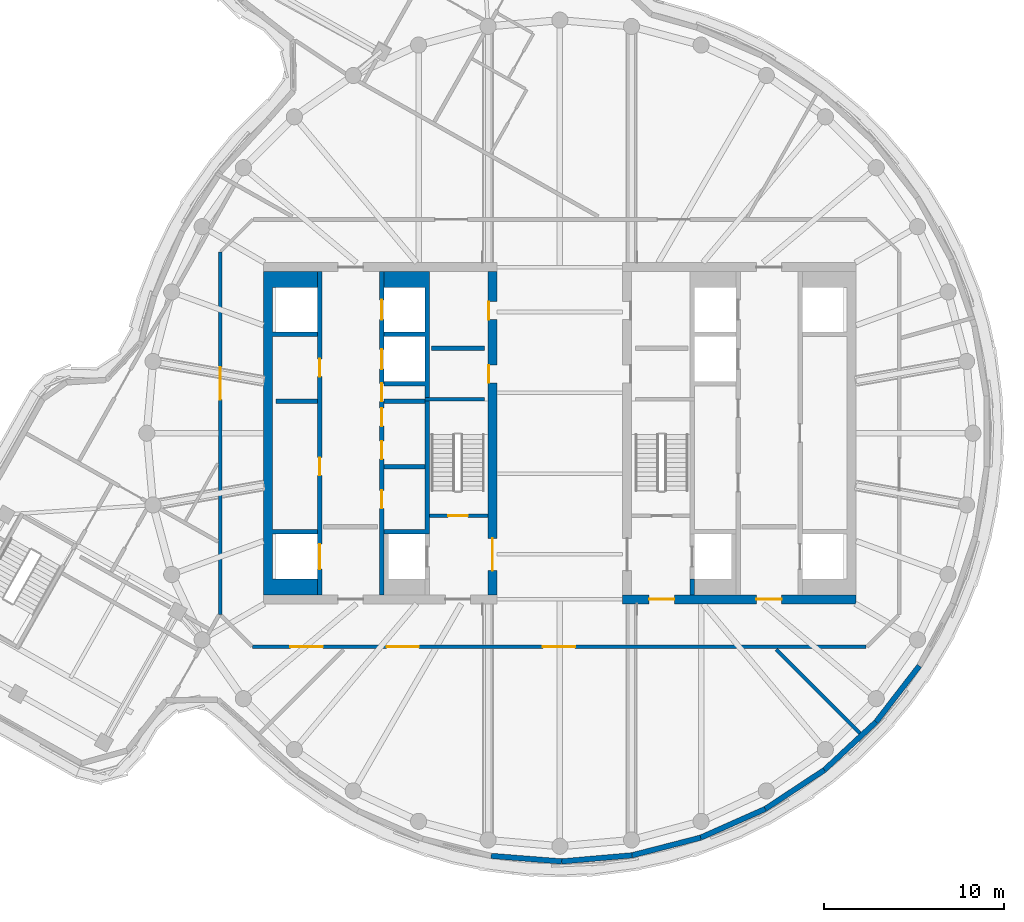
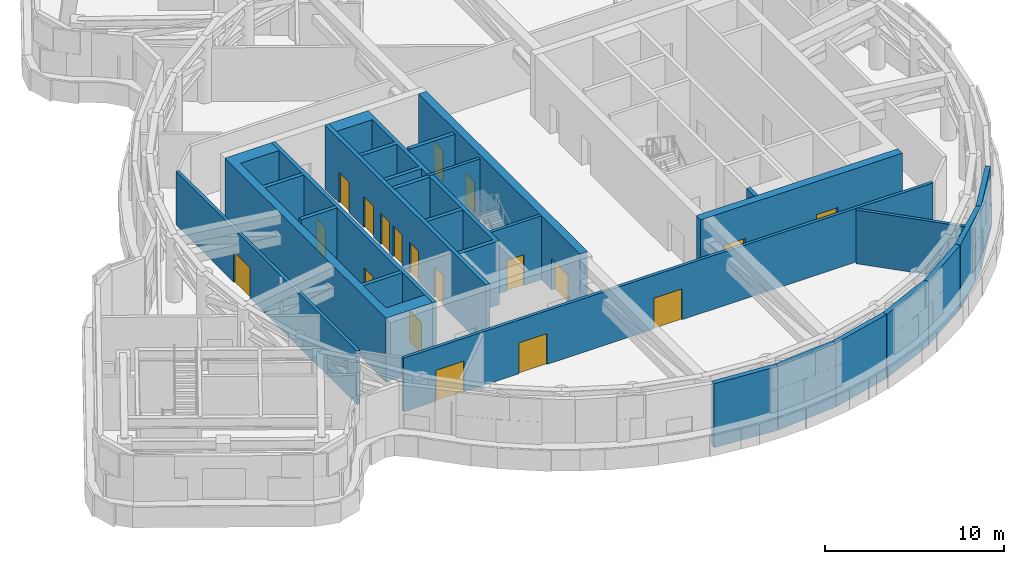
# One storey, part 6 of 15: 23 walls, 19 doors, 19 openings.
"""IFC4 building model written with IfcOpenShell, lengths in metres."""

from ifc_helpers import new_model, si_unit, direction, frame, frame_2d, origin, place, context, subcontext, project, spatial, polyline, rectangle, outline, extrude, material, layer, layer_set, type_object, element, fill, save


model = new_model("IFC4")

# Units and contexts
model_context = context("Model", 3, precision=1e-05, world=origin(), true_north=direction((0.0, 1.0)))
body_context = subcontext(model_context, "Body", "Model", "MODEL_VIEW")
ifc_project = project(units=[si_unit("LENGTHUNIT", "METRE"), si_unit("AREAUNIT", "SQUARE_METRE"), si_unit("VOLUMEUNIT", "CUBIC_METRE"), si_unit("PLANEANGLEUNIT", "RADIAN"), si_unit("MASSUNIT", "GRAM", prefix="KILO")], contexts=[model_context])

# Site, building, storey
site_placement = place(None, origin())
site = spatial("IfcSite", under=ifc_project, at=site_placement, CompositionType="ELEMENT")
building_placement = place(site_placement, origin())
building = spatial("IfcBuilding", under=site, at=building_placement, Name="Tamarind Cross Interchange Tower", CompositionType="ELEMENT")
storey_placement = place(building_placement, frame((0.0, 0.0, 252.300048828125)))
storey = spatial("IfcBuildingStorey", under=building, at=storey_placement, Name="L64", CompositionType="ELEMENT", Elevation=252.300048828125)

# Wall
ifc_material_1 = material(Name="Concrete C50", Category="concrete")
ifc_layer_1 = layer(ifc_material_1, 0.5)
ifc_layer_set_1 = layer_set([ifc_layer_1], Name="Concrete C50")
wall_type_1 = type_object("IfcWallType", Name="Core wall 500 mm Concrete C50", PredefinedType="SHEAR", material=ifc_layer_set_1)
wall_1_placement = place(storey_placement, origin())
element("IfcWall", 1, at=wall_1_placement, inside=storey, type_object=wall_type_1, Name="Core wall CWL-L64-W-A", PredefinedType="SHEAR", context=body_context, shape_type="SweptSolid", body=[
    extrude(outline(polyline([(-13.5, -8.125), (-16.0, -8.125), (-16.0, -5.625), (-13.5, -5.625), (-13.5, -5.375), (-16.0, -5.375), (-16.0, 5.375), (-13.5, 5.375), (-13.5, 5.625), (-16.0, 5.625), (-16.0, 8.125), (-13.5, 8.125), (-13.5, 9.0), (-16.0, 9.0), (-16.5, 9.0), (-16.5, -9.0), (-16.0, -9.0), (-13.5, -9.0), (-13.5, -8.125)])), origin(), (0.0, 0.0, 1.0), 4.35986328125),
])

# Wall, openings, doors
wall_2_placement = place(storey_placement, frame((-3.75, -9.0, 0.0), z_axis=(0.0, 0.0, 1.0), x_axis=(0.0, 1.0, 0.0)))
wall_2 = element("IfcWall", 2, at=wall_2_placement, inside=storey, type_object=wall_type_1, Name="Core wall CWL-L64-W-IN", PredefinedType="SHEAR", context=body_context, shape_type="SweptSolid", body=[
    extrude(rectangle(XDim=18.0, YDim=0.5, at=frame_2d((9.0, 0.0))), origin(), (0.0, 0.0, 1.0), 4.35986328125),
])
opening_1_placement = place(wall_2_placement, frame((1.35009765625, 0.0, 0.0)))
opening_1 = element("IfcOpeningElement", 3, at=opening_1_placement, cuts=wall_2, Name="Opening DCW4", PredefinedType="OPENING", context=body_context, shape_type="SweptSolid", body=[
    extrude(rectangle(XDim=1.800048828125, YDim=2.10009765625, at=frame_2d((0.89990234375, 1.050048828125))), frame((0.0, 0.260009765625, 0.0), z_axis=(0.0, -1.0, 0.0), x_axis=(1.0, 0.0, 0.0)), (0.0, 0.0, 1.0), 0.52001953125),
])
opening_2_placement = place(wall_2_placement, frame((11.797607421875, 0.0, 0.0)))
opening_2 = element("IfcOpeningElement", 4, at=opening_2_placement, cuts=wall_2, Name="Opening DCW5", PredefinedType="OPENING", context=body_context, shape_type="SweptSolid", body=[
    extrude(rectangle(XDim=1.0, YDim=2.10009765625, at=frame_2d((0.5, 1.050048828125))), frame((0.0, 0.260009765625, 0.0), z_axis=(0.0, -1.0, 0.0), x_axis=(1.0, 0.0, 0.0)), (0.0, 0.0, 1.0), 0.52001953125),
])
opening_3_placement = place(wall_2_placement, frame((15.322509765625, 0.0, 0.0)))
opening_3 = element("IfcOpeningElement", 5, at=opening_3_placement, cuts=wall_2, Name="Opening DCW5", PredefinedType="OPENING", context=body_context, shape_type="SweptSolid", body=[
    extrude(rectangle(XDim=1.0, YDim=2.10009765625, at=frame_2d((0.5, 1.050048828125))), frame((0.0, 0.260009765625, 0.0), z_axis=(0.0, -1.0, 0.0), x_axis=(1.0, 0.0, 0.0)), (0.0, 0.0, 1.0), 0.52001953125),
])
ifc_material_2 = material(Name="Steel, fire-resisting", Category="steel")
door_type_1 = type_object("IfcDoorType", Name="Core fire door 1000 x 2100 FD90", OperationType="SINGLE_SWING_LEFT", PredefinedType="DOOR", material=ifc_material_2)
door_1_placement = place(opening_2_placement, origin())
door_1 = element("IfcDoor", 6, at=door_1_placement, inside=storey, type_object=door_type_1, Name="L64 plant store door", OperationType="SINGLE_SWING_LEFT", OverallHeight=2.10009765625, OverallWidth=1.0, PredefinedType="DOOR", context=body_context, shape_type="SweptSolid", body=[
    extrude(rectangle(XDim=1.0, YDim=2.10009765625, at=frame_2d((0.5, 1.050048828125))), frame((0.0, 0.22509765625, 0.0), z_axis=(0.0, -1.0, 0.0), x_axis=(1.0, 0.0, 0.0)), (0.0, 0.0, 1.0), 0.050048828125),
])
fill(opening_2, door_1)
door_2_placement = place(opening_3_placement, origin())
door_2 = element("IfcDoor", 7, at=door_2_placement, inside=storey, type_object=door_type_1, Name="L64 break tank and pump room door", OperationType="SINGLE_SWING_LEFT", OverallHeight=2.10009765625, OverallWidth=1.0, PredefinedType="DOOR", context=body_context, shape_type="SweptSolid", body=[
    extrude(rectangle(XDim=1.0, YDim=2.10009765625, at=frame_2d((0.5, 1.050048828125))), frame((0.0, 0.22509765625, 0.0), z_axis=(0.0, -1.0, 0.0), x_axis=(1.0, 0.0, 0.0)), (0.0, 0.0, 1.0), 0.050048828125),
])
fill(opening_3, door_2)
door_type_2 = type_object("IfcDoorType", Name="Core fire door 1800 x 2100 FD90", OperationType="SINGLE_SWING_LEFT", PredefinedType="DOOR", material=ifc_material_2)
door_3_placement = place(opening_1_placement, origin())
door_3 = element("IfcDoor", 8, at=door_3_placement, inside=storey, type_object=door_type_2, Name="L64 firefighting lobby door", OperationType="SINGLE_SWING_LEFT", OverallHeight=2.10009765625, OverallWidth=1.800048828125, PredefinedType="DOOR", context=body_context, shape_type="SweptSolid", body=[
    extrude(rectangle(XDim=1.800048828125, YDim=2.10009765625, at=frame_2d((0.89990234375, 1.050048828125))), frame((0.0, 0.02490234375, 0.0), z_axis=(0.0, -1.0, 0.0), x_axis=(1.0, 0.0, 0.0)), (0.0, 0.0, 1.0), 0.050048828125),
])
fill(opening_1, door_3)

wall_3_placement = place(storey_placement, frame((16.5, -9.25, 0.0), z_axis=(0.0, 0.0, 1.0), x_axis=(-1.0, 0.0, 0.0)))
wall_3 = element("IfcWall", 9, at=wall_3_placement, inside=storey, type_object=wall_type_1, Name="Core wall CWL-L64-E-S", PredefinedType="SHEAR", context=body_context, shape_type="SweptSolid", body=[
    extrude(rectangle(XDim=13.0, YDim=0.5, at=frame_2d((6.5, 0.0))), origin(), (0.0, 0.0, 1.0), 4.35986328125),
])
opening_4_placement = place(wall_3_placement, frame((4.14990234375, 0.0, 0.0)))
opening_4 = element("IfcOpeningElement", 10, at=opening_4_placement, cuts=wall_3, Name="Opening DCE1", PredefinedType="OPENING", context=body_context, shape_type="SweptSolid", body=[
    extrude(rectangle(XDim=1.39990234375, YDim=2.10009765625, at=frame_2d((0.699951171875, 1.050048828125))), frame((0.0, 0.260009765625, 0.0), z_axis=(0.0, -1.0, 0.0), x_axis=(1.0, 0.0, 0.0)), (0.0, 0.0, 1.0), 0.52001953125),
])
opening_5_placement = place(wall_3_placement, frame((10.125, 0.0, 0.0)))
opening_5 = element("IfcOpeningElement", 11, at=opening_5_placement, cuts=wall_3, Name="Opening DCEF", PredefinedType="OPENING", context=body_context, shape_type="SweptSolid", body=[
    extrude(rectangle(XDim=1.39990234375, YDim=2.10009765625, at=frame_2d((0.699951171875, 1.050048828125))), frame((0.0, 0.260009765625, 0.0), z_axis=(0.0, -1.0, 0.0), x_axis=(1.0, 0.0, 0.0)), (0.0, 0.0, 1.0), 0.52001953125),
])
door_type_3 = type_object("IfcDoorType", Name="Core fire door 1400 x 2100 FD90", OperationType="SINGLE_SWING_LEFT", PredefinedType="DOOR", material=ifc_material_2)
door_4_placement = place(opening_4_placement, origin())
door_4 = element("IfcDoor", 12, at=door_4_placement, inside=storey, type_object=door_type_3, Name="L64 lift lobby door", OperationType="SINGLE_SWING_LEFT", OverallHeight=2.10009765625, OverallWidth=1.39990234375, PredefinedType="DOOR", context=body_context, shape_type="SweptSolid", body=[
    extrude(rectangle(XDim=1.39990234375, YDim=2.10009765625, at=frame_2d((0.699951171875, 1.050048828125))), frame((0.0, 0.02490234375, 0.0), z_axis=(0.0, -1.0, 0.0), x_axis=(1.0, 0.0, 0.0)), (0.0, 0.0, 1.0), 0.050048828125),
])
fill(opening_4, door_4)
door_5_placement = place(opening_5_placement, origin())
door_5 = element("IfcDoor", 13, at=door_5_placement, inside=storey, type_object=door_type_3, Name="L64 firefighting lobby end door", OperationType="SINGLE_SWING_LEFT", OverallHeight=2.10009765625, OverallWidth=1.39990234375, PredefinedType="DOOR", context=body_context, shape_type="SweptSolid", body=[
    extrude(rectangle(XDim=1.39990234375, YDim=2.10009765625, at=frame_2d((0.699951171875, 1.050048828125))), frame((0.0, 0.02490234375, 0.0), z_axis=(0.0, -1.0, 0.0), x_axis=(1.0, 0.0, 0.0)), (0.0, 0.0, 1.0), 0.050048828125),
])
fill(opening_5, door_5)

# Walls
ifc_layer_2 = layer(ifc_material_1, 0.199951171875)
ifc_layer_set_2 = layer_set([ifc_layer_2], Name="Concrete C50")
wall_type_2 = type_object("IfcWallType", Name="Core web wall 200 mm Concrete C50", PredefinedType="SHEAR", material=ifc_layer_set_2)
wall_4_placement = place(storey_placement, frame((-7.5, 1.89990234375, 0.0), z_axis=(0.0, 0.0, 1.0), x_axis=(1.0, 0.0, 0.0)))
element("IfcWall", 14, at=wall_4_placement, inside=storey, type_object=wall_type_2, Name="Core wall CWL-L64-W-BD", PredefinedType="SHEAR", context=body_context, shape_type="SweptSolid", body=[
    extrude(rectangle(XDim=3.300048828125, YDim=0.199951171875, at=frame_2d((1.64990234375, 0.0))), origin(), (0.0, 0.0, 1.0), 4.35986328125),
])
ifc_layer_3 = layer(ifc_material_1, 0.25)
ifc_layer_set_3 = layer_set([ifc_layer_3], Name="Concrete C50")
wall_type_3 = type_object("IfcWallType", Name="Core web wall 250 mm Concrete C50", PredefinedType="SHEAR", material=ifc_layer_set_3)
wall_5_placement = place(storey_placement, origin())
element("IfcWall", 15, at=wall_5_placement, inside=storey, type_object=wall_type_3, Name="Core wall CWL-L64-W-BN", PredefinedType="SHEAR", context=body_context, shape_type="SweptSolid", body=[
    extrude(outline(polyline([(-9.800048828125, -5.375), (-9.800048828125, -5.625), (-7.5, -5.625), (-7.25, -5.625), (-7.25, 9.0), (-7.5, 9.0), (-9.800048828125, 9.0), (-9.800048828125, 8.125), (-7.5, 8.125), (-7.5, 5.625), (-9.800048828125, 5.625), (-9.800048828125, 5.375), (-7.5, 5.375), (-7.5, 2.875), (-9.800048828125, 2.875), (-9.800048828125, 2.625), (-7.5, 2.625), (-7.5, -5.375), (-9.800048828125, -5.375)])), origin(), (0.0, 0.0, 1.0), 4.35986328125),
])

# Wall, openings, doors
wall_6_placement = place(storey_placement, frame((-13.375, -9.0, 0.0), z_axis=(0.0, 0.0, 1.0), x_axis=(0.0, 1.0, 0.0)))
wall_6 = element("IfcWall", 16, at=wall_6_placement, inside=storey, type_object=wall_type_3, Name="Core wall CWL-L64-W-LA", PredefinedType="SHEAR", context=body_context, shape_type="SweptSolid", body=[
    extrude(rectangle(XDim=18.0, YDim=0.25, at=frame_2d((9.0, 0.0))), origin(), (0.0, 0.0, 1.0), 4.35986328125),
])
opening_6_placement = place(wall_6_placement, frame((1.425048828125, 0.0, 0.0)))
opening_6 = element("IfcOpeningElement", 17, at=opening_6_placement, cuts=wall_6, Name="Opening LD1L64", PredefinedType="OPENING", context=body_context, shape_type="SweptSolid", body=[
    extrude(rectangle(XDim=1.39990234375, YDim=2.10009765625, at=frame_2d((0.699951171875, 1.050048828125))), frame((0.0, 0.135009765625, 0.0), z_axis=(0.0, -1.0, 0.0), x_axis=(1.0, 0.0, 0.0)), (0.0, 0.0, 1.0), 0.27001953125),
])
opening_7_placement = place(wall_6_placement, frame((6.64599609375, 0.0, 0.0)))
opening_7 = element("IfcOpeningElement", 18, at=opening_7_placement, cuts=wall_6, Name="Opening DCW9", PredefinedType="OPENING", context=body_context, shape_type="SweptSolid", body=[
    extrude(rectangle(XDim=1.0, YDim=2.10009765625, at=frame_2d((0.5, 1.050048828125))), frame((0.0, 0.135009765625, 0.0), z_axis=(0.0, -1.0, 0.0), x_axis=(1.0, 0.0, 0.0)), (0.0, 0.0, 1.0), 0.27001953125),
])
opening_8_placement = place(wall_6_placement, frame((12.14599609375, 0.0, 0.0)))
opening_8 = element("IfcOpeningElement", 19, at=opening_8_placement, cuts=wall_6, Name="Opening DCW10", PredefinedType="OPENING", context=body_context, shape_type="SweptSolid", body=[
    extrude(rectangle(XDim=1.0, YDim=2.10009765625, at=frame_2d((0.5, 1.050048828125))), frame((0.0, 0.135009765625, 0.0), z_axis=(0.0, -1.0, 0.0), x_axis=(1.0, 0.0, 0.0)), (0.0, 0.0, 1.0), 0.27001953125),
])
door_6_placement = place(opening_7_placement, origin())
door_6 = element("IfcDoor", 20, at=door_6_placement, inside=storey, type_object=door_type_1, Name="L64 Refuge storage room door", OperationType="SINGLE_SWING_LEFT", OverallHeight=2.10009765625, OverallWidth=1.0, PredefinedType="DOOR", context=body_context, shape_type="SweptSolid", body=[
    extrude(rectangle(XDim=1.0, YDim=2.10009765625, at=frame_2d((0.5, 1.050048828125))), frame((0.0, 0.02490234375, 0.0), z_axis=(0.0, -1.0, 0.0), x_axis=(1.0, 0.0, 0.0)), (0.0, 0.0, 1.0), 0.050048828125),
])
fill(opening_7, door_6)
door_7_placement = place(opening_8_placement, origin())
door_7 = element("IfcDoor", 21, at=door_7_placement, inside=storey, type_object=door_type_1, Name="L64 Refuge battery room door", OperationType="SINGLE_SWING_LEFT", OverallHeight=2.10009765625, OverallWidth=1.0, PredefinedType="DOOR", context=body_context, shape_type="SweptSolid", body=[
    extrude(rectangle(XDim=1.0, YDim=2.10009765625, at=frame_2d((0.5, 1.050048828125))), frame((0.0, 0.02490234375, 0.0), z_axis=(0.0, -1.0, 0.0), x_axis=(1.0, 0.0, 0.0)), (0.0, 0.0, 1.0), 0.050048828125),
])
fill(opening_8, door_7)
ifc_material_3 = material(Name="Stainless steel panel", Category="steel")
door_type_4 = type_object("IfcDoorType", Name="Lift landing door 1400 x 2100 E 120", OperationType="SLIDING_TO_LEFT", PredefinedType="DOOR", material=ifc_material_3)
door_8_placement = place(opening_6_placement, origin())
door_8 = element("IfcDoor", 22, at=door_8_placement, inside=storey, type_object=door_type_4, Name="L64 landing door LF1", OperationType="SLIDING_TO_LEFT", OverallHeight=2.10009765625, OverallWidth=1.39990234375, PredefinedType="DOOR", context=body_context, shape_type="SweptSolid", body=[
    extrude(rectangle(XDim=1.39990234375, YDim=2.10009765625, at=frame_2d((0.699951171875, 1.050048828125))), frame((0.0, 0.02490234375, 0.0), z_axis=(0.0, -1.0, 0.0), x_axis=(1.0, 0.0, 0.0)), (0.0, 0.0, 1.0), 0.050048828125),
])
fill(opening_6, door_8)

wall_7_placement = place(storey_placement, frame((-9.925048828125, -9.0, 0.0), z_axis=(0.0, 0.0, 1.0), x_axis=(0.0, 1.0, 0.0)))
wall_7 = element("IfcWall", 23, at=wall_7_placement, inside=storey, type_object=wall_type_3, Name="Core wall CWL-L64-W-LB", PredefinedType="SHEAR", context=body_context, shape_type="SweptSolid", body=[
    extrude(rectangle(XDim=18.0, YDim=0.25, at=frame_2d((9.0, 0.0))), origin(), (0.0, 0.0, 1.0), 4.35986328125),
])
opening_9_placement = place(wall_7_placement, frame((12.574951171875, 0.0, 0.0)))
opening_9 = element("IfcOpeningElement", 24, at=opening_9_placement, cuts=wall_7, Name="Opening LD11L64", PredefinedType="OPENING", context=body_context, shape_type="SweptSolid", body=[
    extrude(rectangle(XDim=1.10009765625, YDim=2.10009765625, at=frame_2d((0.550048828125, 1.050048828125))), frame((0.0, 0.135009765625, 0.0), z_axis=(0.0, -1.0, 0.0), x_axis=(1.0, 0.0, 0.0)), (0.0, 0.0, 1.0), 0.27001953125),
])
opening_10_placement = place(wall_7_placement, frame((15.324951171875, 0.0, 0.0)))
opening_10 = element("IfcOpeningElement", 25, at=opening_10_placement, cuts=wall_7, Name="Opening LD12L64", PredefinedType="OPENING", context=body_context, shape_type="SweptSolid", body=[
    extrude(rectangle(XDim=1.10009765625, YDim=2.10009765625, at=frame_2d((0.550048828125, 1.050048828125))), frame((0.0, 0.135009765625, 0.0), z_axis=(0.0, -1.0, 0.0), x_axis=(1.0, 0.0, 0.0)), (0.0, 0.0, 1.0), 0.27001953125),
])
opening_11_placement = place(wall_7_placement, frame((4.8125, 0.0, 0.0)))
opening_11 = element("IfcOpeningElement", 26, at=opening_11_placement, cuts=wall_7, Name="Opening DCW21", PredefinedType="OPENING", context=body_context, shape_type="SweptSolid", body=[
    extrude(rectangle(XDim=1.0, YDim=2.10009765625, at=frame_2d((0.5, 1.050048828125))), frame((0.0, 0.135009765625, 0.0), z_axis=(0.0, -1.0, 0.0), x_axis=(1.0, 0.0, 0.0)), (0.0, 0.0, 1.0), 0.27001953125),
])
opening_12_placement = place(wall_7_placement, frame((7.5625, 0.0, 0.0)))
opening_12 = element("IfcOpeningElement", 27, at=opening_12_placement, cuts=wall_7, Name="Opening DCW22", PredefinedType="OPENING", context=body_context, shape_type="SweptSolid", body=[
    extrude(rectangle(XDim=1.0, YDim=2.10009765625, at=frame_2d((0.5, 1.050048828125))), frame((0.0, 0.135009765625, 0.0), z_axis=(0.0, -1.0, 0.0), x_axis=(1.0, 0.0, 0.0)), (0.0, 0.0, 1.0), 0.27001953125),
])
opening_13_placement = place(wall_7_placement, frame((9.39599609375, 0.0, 0.0)))
opening_13 = element("IfcOpeningElement", 28, at=opening_13_placement, cuts=wall_7, Name="Opening DCW21", PredefinedType="OPENING", context=body_context, shape_type="SweptSolid", body=[
    extrude(rectangle(XDim=1.0, YDim=2.10009765625, at=frame_2d((0.5, 1.050048828125))), frame((0.0, 0.135009765625, 0.0), z_axis=(0.0, -1.0, 0.0), x_axis=(1.0, 0.0, 0.0)), (0.0, 0.0, 1.0), 0.27001953125),
])
opening_14_placement = place(wall_7_placement, frame((10.77099609375, 0.0, 0.0)))
opening_14 = element("IfcOpeningElement", 29, at=opening_14_placement, cuts=wall_7, Name="Opening DCW22", PredefinedType="OPENING", context=body_context, shape_type="SweptSolid", body=[
    extrude(rectangle(XDim=1.0, YDim=2.10009765625, at=frame_2d((0.5, 1.050048828125))), frame((0.0, 0.135009765625, 0.0), z_axis=(0.0, -1.0, 0.0), x_axis=(1.0, 0.0, 0.0)), (0.0, 0.0, 1.0), 0.27001953125),
])
door_9_placement = place(opening_11_placement, origin())
door_9 = element("IfcDoor", 30, at=door_9_placement, inside=storey, type_object=door_type_1, Name="L64 Refuge switch room door", OperationType="SINGLE_SWING_LEFT", OverallHeight=2.10009765625, OverallWidth=1.0, PredefinedType="DOOR", context=body_context, shape_type="SweptSolid", body=[
    extrude(rectangle(XDim=1.0, YDim=2.10009765625, at=frame_2d((0.5, 1.050048828125))), frame((0.0, 0.02490234375, 0.0), z_axis=(0.0, -1.0, 0.0), x_axis=(1.0, 0.0, 0.0)), (0.0, 0.0, 1.0), 0.050048828125),
])
fill(opening_11, door_9)
door_10_placement = place(opening_12_placement, origin())
door_10 = element("IfcDoor", 31, at=door_10_placement, inside=storey, type_object=door_type_1, Name="L64 Refuge pump room door", OperationType="SINGLE_SWING_LEFT", OverallHeight=2.10009765625, OverallWidth=1.0, PredefinedType="DOOR", context=body_context, shape_type="SweptSolid", body=[
    extrude(rectangle(XDim=1.0, YDim=2.10009765625, at=frame_2d((0.5, 1.050048828125))), frame((0.0, 0.02490234375, 0.0), z_axis=(0.0, -1.0, 0.0), x_axis=(1.0, 0.0, 0.0)), (0.0, 0.0, 1.0), 0.050048828125),
])
fill(opening_12, door_10)
door_11_placement = place(opening_13_placement, origin())
door_11 = element("IfcDoor", 32, at=door_11_placement, inside=storey, type_object=door_type_1, Name="L64 Refuge pump room door", OperationType="SINGLE_SWING_LEFT", OverallHeight=2.10009765625, OverallWidth=1.0, PredefinedType="DOOR", context=body_context, shape_type="SweptSolid", body=[
    extrude(rectangle(XDim=1.0, YDim=2.10009765625, at=frame_2d((0.5, 1.050048828125))), frame((0.0, 0.02490234375, 0.0), z_axis=(0.0, -1.0, 0.0), x_axis=(1.0, 0.0, 0.0)), (0.0, 0.0, 1.0), 0.050048828125),
])
fill(opening_13, door_11)
door_12_placement = place(opening_14_placement, origin())
door_12 = element("IfcDoor", 33, at=door_12_placement, inside=storey, type_object=door_type_1, Name="L64 Refuge plant room door", OperationType="SINGLE_SWING_LEFT", OverallHeight=2.10009765625, OverallWidth=1.0, PredefinedType="DOOR", context=body_context, shape_type="SweptSolid", body=[
    extrude(rectangle(XDim=1.0, YDim=2.10009765625, at=frame_2d((0.5, 1.050048828125))), frame((0.0, 0.02490234375, 0.0), z_axis=(0.0, -1.0, 0.0), x_axis=(1.0, 0.0, 0.0)), (0.0, 0.0, 1.0), 0.050048828125),
])
fill(opening_14, door_12)
door_type_5 = type_object("IfcDoorType", Name="Lift landing door 1100 x 2100 E 120", OperationType="SLIDING_TO_LEFT", PredefinedType="DOOR", material=ifc_material_3)
door_13_placement = place(opening_9_placement, origin())
door_13 = element("IfcDoor", 34, at=door_13_placement, inside=storey, type_object=door_type_5, Name="L64 landing door LF11", OperationType="SLIDING_TO_LEFT", OverallHeight=2.10009765625, OverallWidth=1.10009765625, PredefinedType="DOOR", context=body_context, shape_type="SweptSolid", body=[
    extrude(rectangle(XDim=1.10009765625, YDim=2.10009765625, at=frame_2d((0.550048828125, 1.050048828125))), frame((0.0, 0.02490234375, 0.0), z_axis=(0.0, -1.0, 0.0), x_axis=(1.0, 0.0, 0.0)), (0.0, 0.0, 1.0), 0.050048828125),
])
fill(opening_9, door_13)
door_14_placement = place(opening_10_placement, origin())
door_14 = element("IfcDoor", 35, at=door_14_placement, inside=storey, type_object=door_type_5, Name="L64 landing door LF12", OperationType="SLIDING_TO_LEFT", OverallHeight=2.10009765625, OverallWidth=1.10009765625, PredefinedType="DOOR", context=body_context, shape_type="SweptSolid", body=[
    extrude(rectangle(XDim=1.10009765625, YDim=2.10009765625, at=frame_2d((0.550048828125, 1.050048828125))), frame((0.0, 0.02490234375, 0.0), z_axis=(0.0, -1.0, 0.0), x_axis=(1.0, 0.0, 0.0)), (0.0, 0.0, 1.0), 0.050048828125),
])
fill(opening_10, door_14)

# Walls
wall_8_placement = place(storey_placement, frame((7.375, -9.0, 0.0), z_axis=(0.0, 0.0, 1.0), x_axis=(0.0, 1.0, 0.0)))
element("IfcWall", 36, at=wall_8_placement, inside=storey, type_object=wall_type_3, Name="Core wall CWL-L64-E-BW", PredefinedType="SHEAR", context=body_context, shape_type="SweptSolid", body=[
    extrude(rectangle(XDim=0.875, YDim=0.25, at=frame_2d((0.4375, 0.0))), origin(), (0.0, 0.0, 1.0), 4.35986328125),
])
ifc_material_4 = material(Name="Gypsum board partition on steel studs", Category="steel")
ifc_layer_4 = layer(ifc_material_4, 0.199951171875)
ifc_layer_set_4 = layer_set([ifc_layer_4], Name="Gypsum board partition on steel studs")
wall_type_4 = type_object("IfcWallType", Name="Partition 200 mm EI 180", PredefinedType="PARTITIONING", material=ifc_layer_set_4)
wall_9_placement = place(storey_placement, frame((12.052001953125, -12.052001953125, 0.0), z_axis=(0.0, 0.0, 1.0), x_axis=(0.707106781187, -0.707106781187, 0.0)))
element("IfcWall", 37, at=wall_9_placement, inside=storey, type_object=wall_type_4, Name="Partition L64-002", PredefinedType="PARTITIONING", context=body_context, shape_type="SweptSolid", body=[
    extrude(rectangle(XDim=6.8857421875, YDim=0.199951171875, at=frame_2d((3.44287109375, 0.0))), origin(), (0.0, 0.0, 1.0), 3.659912109375),
])

# Wall, openings, doors
wall_10_placement = place(storey_placement, frame((-17.10009765625, -11.89990234375, 0.0), z_axis=(0.0, 0.0, 1.0), x_axis=(1.0, 0.0, 0.0)))
wall_10 = element("IfcWall", 38, at=wall_10_placement, inside=storey, type_object=wall_type_4, Name="Partition L64-020", PredefinedType="PARTITIONING", context=body_context, shape_type="SweptSolid", body=[
    extrude(rectangle(XDim=34.14501953125, YDim=0.199951171875, at=frame_2d((17.072509765625, 0.0))), origin(), (0.0, 0.0, 1.0), 3.659912109375),
])
opening_15_placement = place(wall_10_placement, frame((16.14990234375, 0.0, 0.0)))
opening_15 = element("IfcOpeningElement", 39, at=opening_15_placement, cuts=wall_10, Name="Opening D04", PredefinedType="OPENING", context=body_context, shape_type="SweptSolid", body=[
    extrude(rectangle(XDim=1.800048828125, YDim=2.10009765625, at=frame_2d((0.89990234375, 1.050048828125))), frame((0.0, 0.10986328125, 0.0), z_axis=(0.0, -1.0, 0.0), x_axis=(1.0, 0.0, 0.0)), (0.0, 0.0, 1.0), 0.219970703125),
])
opening_16_placement = place(wall_10_placement, frame((7.449951171875, 0.0, 0.0)))
opening_16 = element("IfcOpeningElement", 40, at=opening_16_placement, cuts=wall_10, Name="Opening D05", PredefinedType="OPENING", context=body_context, shape_type="SweptSolid", body=[
    extrude(rectangle(XDim=1.800048828125, YDim=2.10009765625, at=frame_2d((0.89990234375, 1.050048828125))), frame((0.0, 0.10986328125, 0.0), z_axis=(0.0, -1.0, 0.0), x_axis=(1.0, 0.0, 0.0)), (0.0, 0.0, 1.0), 0.219970703125),
])
opening_17_placement = place(wall_10_placement, frame((2.10009765625, 0.0, 0.0)))
opening_17 = element("IfcOpeningElement", 41, at=opening_17_placement, cuts=wall_10, Name="Opening D06", PredefinedType="OPENING", context=body_context, shape_type="SweptSolid", body=[
    extrude(rectangle(XDim=1.800048828125, YDim=2.10009765625, at=frame_2d((0.89990234375, 1.050048828125))), frame((0.0, 0.10986328125, 0.0), z_axis=(0.0, -1.0, 0.0), x_axis=(1.0, 0.0, 0.0)), (0.0, 0.0, 1.0), 0.219970703125),
])
ifc_material_5 = material(Name="Fire-resisting door set")
door_type_6 = type_object("IfcDoorType", Name="Interior door 1800 x 2100 FD120S", OperationType="DOUBLE_DOOR_SINGLE_SWING", PredefinedType="DOOR", material=ifc_material_5)
door_15_placement = place(opening_15_placement, frame((1.800048828125, 0.0, 0.0), z_axis=(0.0, 0.0, 1.0), x_axis=(-1.0, 0.0, 0.0)))
door_15 = element("IfcDoor", 42, at=door_15_placement, inside=storey, type_object=door_type_6, Name="Door D04", OperationType="DOUBLE_DOOR_SINGLE_SWING", OverallHeight=2.10009765625, OverallWidth=1.800048828125, PredefinedType="DOOR", context=body_context, shape_type="SweptSolid", body=[
    extrude(rectangle(XDim=1.800048828125, YDim=2.10009765625, at=frame_2d((0.89990234375, 1.050048828125))), frame((0.0, 0.02490234375, 0.0), z_axis=(0.0, -1.0, 0.0), x_axis=(1.0, 0.0, 0.0)), (0.0, 0.0, 1.0), 0.050048828125),
])
fill(opening_15, door_15)
door_16_placement = place(opening_16_placement, frame((1.800048828125, 0.0, 0.0), z_axis=(0.0, 0.0, 1.0), x_axis=(-1.0, 0.0, 0.0)))
door_16 = element("IfcDoor", 43, at=door_16_placement, inside=storey, type_object=door_type_6, Name="Door D05", OperationType="DOUBLE_DOOR_SINGLE_SWING", OverallHeight=2.10009765625, OverallWidth=1.800048828125, PredefinedType="DOOR", context=body_context, shape_type="SweptSolid", body=[
    extrude(rectangle(XDim=1.800048828125, YDim=2.10009765625, at=frame_2d((0.89990234375, 1.050048828125))), frame((0.0, 0.02490234375, 0.0), z_axis=(0.0, -1.0, 0.0), x_axis=(1.0, 0.0, 0.0)), (0.0, 0.0, 1.0), 0.050048828125),
])
fill(opening_16, door_16)
door_17_placement = place(opening_17_placement, frame((1.800048828125, 0.0, 0.0), z_axis=(0.0, 0.0, 1.0), x_axis=(-1.0, 0.0, 0.0)))
door_17 = element("IfcDoor", 44, at=door_17_placement, inside=storey, type_object=door_type_6, Name="Door D06", OperationType="DOUBLE_DOOR_SINGLE_SWING", OverallHeight=2.10009765625, OverallWidth=1.800048828125, PredefinedType="DOOR", context=body_context, shape_type="SweptSolid", body=[
    extrude(rectangle(XDim=1.800048828125, YDim=2.10009765625, at=frame_2d((0.89990234375, 1.050048828125))), frame((0.0, 0.02490234375, 0.0), z_axis=(0.0, -1.0, 0.0), x_axis=(1.0, 0.0, 0.0)), (0.0, 0.0, 1.0), 0.050048828125),
])
fill(opening_17, door_17)

# Wall, opening, door
wall_11_placement = place(storey_placement, frame((-18.89990234375, -10.10009765625, 0.0), z_axis=(0.0, 0.0, 1.0), x_axis=(0.0, 1.0, 0.0)))
wall_11 = element("IfcWall", 45, at=wall_11_placement, inside=storey, type_object=wall_type_4, Name="Partition L64-044", PredefinedType="PARTITIONING", context=body_context, shape_type="SweptSolid", body=[
    extrude(rectangle(XDim=20.2001953125, YDim=0.199951171875, at=frame_2d((10.10009765625, 0.0))), origin(), (0.0, 0.0, 1.0), 3.659912109375),
])
opening_18_placement = place(wall_11_placement, frame((11.97607421875, 0.0, 0.0)))
opening_18 = element("IfcOpeningElement", 46, at=opening_18_placement, cuts=wall_11, Name="Opening D19", PredefinedType="OPENING", context=body_context, shape_type="SweptSolid", body=[
    extrude(rectangle(XDim=1.800048828125, YDim=2.10009765625, at=frame_2d((0.89990234375, 1.050048828125))), frame((0.0, 0.10986328125, 0.0), z_axis=(0.0, -1.0, 0.0), x_axis=(1.0, 0.0, 0.0)), (0.0, 0.0, 1.0), 0.219970703125),
])
door_18_placement = place(opening_18_placement, frame((1.800048828125, 0.0, 0.0), z_axis=(0.0, 0.0, 1.0), x_axis=(-1.0, 0.0, 0.0)))
door_18 = element("IfcDoor", 47, at=door_18_placement, inside=storey, type_object=door_type_6, Name="Door D19", OperationType="DOUBLE_DOOR_SINGLE_SWING", OverallHeight=2.10009765625, OverallWidth=1.800048828125, PredefinedType="DOOR", context=body_context, shape_type="SweptSolid", body=[
    extrude(rectangle(XDim=1.800048828125, YDim=2.10009765625, at=frame_2d((0.89990234375, 1.050048828125))), frame((0.0, 0.02490234375, 0.0), z_axis=(0.0, -1.0, 0.0), x_axis=(1.0, 0.0, 0.0)), (0.0, 0.0, 1.0), 0.050048828125),
])
fill(opening_18, door_18)

# Walls
ifc_material_6 = material(Name="Precast concrete C40", Category="concrete")
ifc_layer_5 = layer(ifc_material_6, 0.300048828125)
ifc_layer_set_5 = layer_set([ifc_layer_5], Name="Precast concrete C40")
wall_type_5 = type_object("IfcWallType", Name="Plant louvre wall", PredefinedType="SOLIDWALL", material=ifc_layer_set_5)
for number, where, z_axis, x_axis, name in (
    (48, (-3.82373046875, -23.537353515625, 0.0), (0.0, 0.0, 1.0), (0.996930318741, -0.078293930641, 0.0), "EXW-L64-01-08"),
    (49, (0.1025390625, -23.845703125, 0.0), (0.0, 0.0, 1.0), (0.99621635874, 0.08690780505, 0.0), "EXW-L64-01-09"),
):
    element("IfcWall", number, at=place(storey_placement, frame(where, z_axis=z_axis, x_axis=x_axis)), inside=storey, type_object=wall_type_5, Name=name, PredefinedType="SOLIDWALL", context=body_context, shape_type="SweptSolid", body=[
        extrude(rectangle(XDim=3.9384765625, YDim=0.300048828125, at=frame_2d((1.96923828125, 0.0))), origin(), (0.0, 0.0, 1.0), 4.35986328125),
    ])
wall_12_placement = place(storey_placement, frame((4.026123046875, -23.50341796875, 0.0), z_axis=(0.0, 0.0, 1.0), x_axis=(0.968336809904, 0.24964739651, 0.0)))
element("IfcWall", 50, at=wall_12_placement, inside=storey, type_object=wall_type_5, Name="EXW-L64-01-10", PredefinedType="SOLIDWALL", context=body_context, shape_type="SweptSolid", body=[
    extrude(rectangle(XDim=3.938232421875, YDim=0.300048828125, at=frame_2d((1.96923828125, 0.0))), origin(), (0.0, 0.0, 1.0), 4.35986328125),
])
for number, where, z_axis, x_axis, name in (
    (51, (7.839599609375, -22.520263671875, 0.0), (0.0, 0.0, 1.0), (0.91404912862, 0.405603489221, 0.0), "EXW-L64-01-11"),
    (52, (11.439453125, -20.9228515625, 0.0), (0.0, 0.0, 1.0), (0.834786621205, 0.550573607302, 0.0), "EXW-L64-01-12"),
):
    element("IfcWall", number, at=place(storey_placement, frame(where, z_axis=z_axis, x_axis=x_axis)), inside=storey, type_object=wall_type_5, Name=name, PredefinedType="SOLIDWALL", context=body_context, shape_type="SweptSolid", body=[
        extrude(rectangle(XDim=3.9384765625, YDim=0.300048828125, at=frame_2d((1.96923828125, 0.0))), origin(), (0.0, 0.0, 1.0), 4.35986328125),
    ])
wall_13_placement = place(storey_placement, frame((14.727294921875, -18.75439453125, 0.0), z_axis=(0.0, 0.0, 1.0), x_axis=(0.732813362883, 0.680429698926, 0.0)))
element("IfcWall", 53, at=wall_13_placement, inside=storey, type_object=wall_type_5, Name="EXW-L64-01-13", PredefinedType="SOLIDWALL", context=body_context, shape_type="SweptSolid", body=[
    extrude(rectangle(XDim=3.938232421875, YDim=0.300048828125, at=frame_2d((1.96923828125, 0.0))), origin(), (0.0, 0.0, 1.0), 4.35986328125),
])
wall_14_placement = place(storey_placement, frame((17.61328125, -16.07470703125, 0.0), z_axis=(0.0, 0.0, 1.0), x_axis=(0.610785688376, 0.79179596038, 0.0)))
element("IfcWall", 54, at=wall_14_placement, inside=storey, type_object=wall_type_5, Name="EXW-L64-01-14", PredefinedType="SOLIDWALL", context=body_context, shape_type="SweptSolid", body=[
    extrude(rectangle(XDim=3.9384765625, YDim=0.300048828125, at=frame_2d((1.96923828125, 0.0))), origin(), (0.0, 0.0, 1.0), 4.35986328125),
])
ifc_material_7 = material(Name="Concrete C40", Category="concrete")
ifc_layer_6 = layer(ifc_material_7, 0.25)
ifc_layer_set_6 = layer_set([ifc_layer_6], Name="Concrete C40")
wall_type_6 = type_object("IfcWallType", Name="Shaft and lobby wall 250 mm Concrete C40", PredefinedType="PARTITIONING", material=ifc_layer_set_6)
wall_15_placement = place(storey_placement, frame((-7.14990234375, 4.719970703125, 0.0), z_axis=(0.0, 0.0, 1.0), x_axis=(1.0, 0.0, 0.0)))
element("IfcWall", 55, at=wall_15_placement, inside=storey, type_object=wall_type_6, Name="Shaft wall CWL-L64-W-SVP", PredefinedType="PARTITIONING", context=body_context, shape_type="SweptSolid", body=[
    extrude(rectangle(XDim=2.949951171875, YDim=0.25, at=frame_2d((1.47509765625, 0.0))), origin(), (0.0, 0.0, 1.0), 4.35986328125),
])
for number, where, z_axis, x_axis, name in (
    (56, (-15.800048828125, 1.7919921875, 0.0), (0.0, 0.0, 1.0), (1.0, 0.0, 0.0), "Shaft wall CWL-L64-W-FPA1"),
    (57, (-9.800048828125, -1.875, 0.0), (0.0, 0.0, 1.0), (1.0, 0.0, 0.0), "Shaft wall CWL-L64-W-FPB1"),
    (58, (-9.800048828125, 1.7919921875, 0.0), (0.0, 0.0, 1.0), (1.0, 0.0, 0.0), "Shaft wall CWL-L64-W-FPB3"),
):
    element("IfcWall", number, at=place(storey_placement, frame(where, z_axis=z_axis, x_axis=x_axis)), inside=storey, type_object=wall_type_6, Name=name, PredefinedType="PARTITIONING", context=body_context, shape_type="SweptSolid", body=[
        extrude(rectangle(XDim=2.300048828125, YDim=0.25, at=frame_2d((1.14990234375, 0.0))), origin(), (0.0, 0.0, 1.0), 4.35986328125),
    ])

# Wall, opening, door
ifc_layer_7 = layer(ifc_material_7, 0.199951171875)
ifc_layer_set_7 = layer_set([ifc_layer_7], Name="Concrete C40")
wall_type_7 = type_object("IfcWallType", Name="Stair shaft wall 200 mm Concrete C40", PredefinedType="SHEAR", material=ifc_layer_set_7)
wall_16_placement = place(storey_placement, frame((-7.25, -4.60009765625, 0.0), z_axis=(0.0, 0.0, 1.0), x_axis=(1.0, 0.0, 0.0)))
wall_16 = element("IfcWall", 59, at=wall_16_placement, inside=storey, type_object=wall_type_7, Name="Core wall CWL-L64-W-SD", PredefinedType="SHEAR", context=body_context, shape_type="SweptSolid", body=[
    extrude(rectangle(XDim=3.25, YDim=0.199951171875, at=frame_2d((1.625, 0.0))), origin(), (0.0, 0.0, 1.0), 4.35986328125),
])
opening_19_placement = place(wall_16_placement, frame((1.02490234375, 0.0, 0.0)))
opening_19 = element("IfcOpeningElement", 60, at=opening_19_placement, cuts=wall_16, Name="Opening DCW6", PredefinedType="OPENING", context=body_context, shape_type="SweptSolid", body=[
    extrude(rectangle(XDim=1.10009765625, YDim=2.10009765625, at=frame_2d((0.550048828125, 1.050048828125))), frame((0.0, 0.10986328125, 0.0), z_axis=(0.0, -1.0, 0.0), x_axis=(1.0, 0.0, 0.0)), (0.0, 0.0, 1.0), 0.219970703125),
])
door_type_7 = type_object("IfcDoorType", Name="Core fire door 1100 x 2100 FD90", OperationType="SINGLE_SWING_LEFT", PredefinedType="DOOR", material=ifc_material_2)
door_19_placement = place(opening_19_placement, origin())
door_19 = element("IfcDoor", 61, at=door_19_placement, inside=storey, type_object=door_type_7, Name="L64 stair door", OperationType="SINGLE_SWING_LEFT", OverallHeight=2.10009765625, OverallWidth=1.10009765625, PredefinedType="DOOR", context=body_context, shape_type="SweptSolid", body=[
    extrude(rectangle(XDim=1.10009765625, YDim=2.10009765625, at=frame_2d((0.550048828125, 1.050048828125))), frame((0.0, 0.02490234375, 0.0), z_axis=(0.0, -1.0, 0.0), x_axis=(1.0, 0.0, 0.0)), (0.0, 0.0, 1.0), 0.050048828125),
])
fill(opening_19, door_19)

save(model, "model.ifc")
